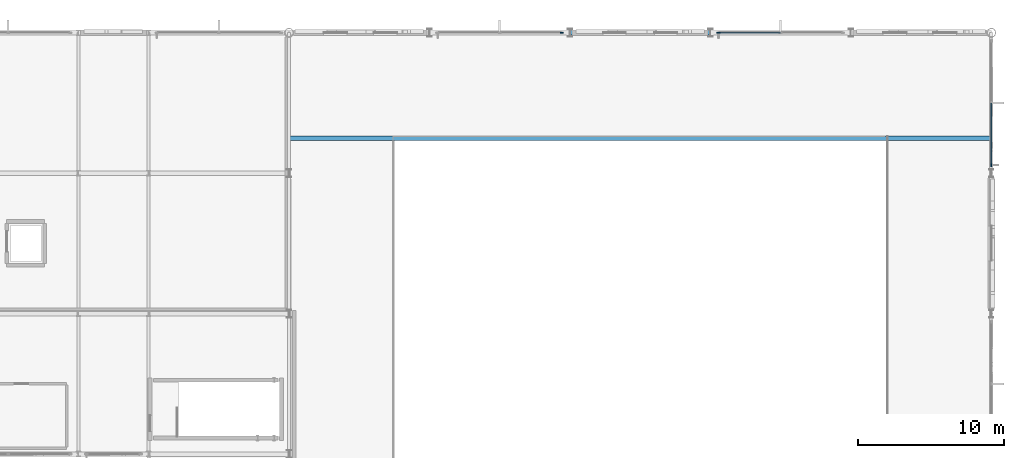
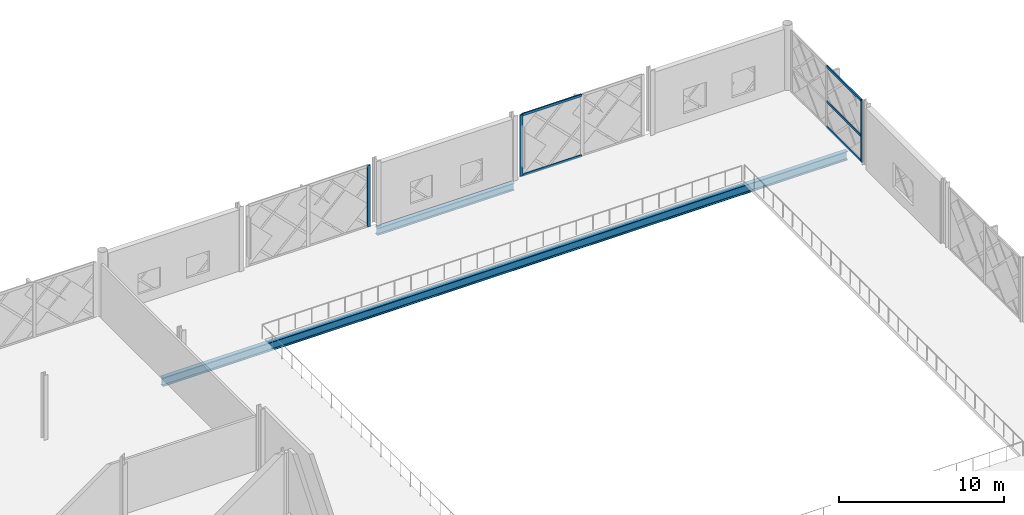
# One storey, part 38 of 77: 8 members, 2 beams, 3 elements without a shape of their own.
"""IFC4 building model written with IfcOpenShell, lengths in metres."""

from ifc_helpers import new_model, si_unit, direction, frame, origin, origin_2d, place, context, subcontext, project, spatial, rectangle, i_section, extrude, material, layer, layer_set, material_profile, profile_set, type_object, element, aggregate, save


model = new_model("IFC4")

# Units and contexts
model_context = context("Model", 3, precision=1e-05, world=origin(), true_north=direction((0.0, 1.0)))
body_context = subcontext(model_context, "Body", "Model", "MODEL_VIEW")
ifc_project = project(units=[si_unit("LENGTHUNIT", "METRE"), si_unit("AREAUNIT", "SQUARE_METRE"), si_unit("VOLUMEUNIT", "CUBIC_METRE"), si_unit("PLANEANGLEUNIT", "RADIAN"), si_unit("MASSUNIT", "GRAM", prefix="KILO")], contexts=[model_context])

# Site, building, storey
site_placement = place(None, origin())
site = spatial("IfcSite", under=ifc_project, at=site_placement, CompositionType="ELEMENT")
building_placement = place(site_placement, origin())
building = spatial("IfcBuilding", under=site, at=building_placement, Name="Zevrakil Square Congress Hotel", CompositionType="ELEMENT")
storey_placement = place(building_placement, frame((0.0, 0.0, 9.89990234375)))
storey = spatial("IfcBuildingStorey", under=building, at=storey_placement, Name="L03", CompositionType="ELEMENT", Elevation=9.89990234375)

# Beams
ifc_material_1 = material(Name="Steel S355", Category="steel")
ifc_material_profile_1 = material_profile(ifc_material_1, i_section(OverallWidth=0.300048828125, OverallDepth=0.5400390625, WebThickness=0.012451171875, FlangeThickness=0.02392578125, FilletRadius=0.027099609375, at=origin_2d()), Name="HEA 550")
ifc_profile_set_1 = profile_set([ifc_material_profile_1], Name="Steel S355")
beam_type_1 = type_object("IfcBeamType", Name="BM-HEA550", PredefinedType="BEAM", material=ifc_profile_set_1)
beam_1_placement = place(storey_placement, frame((136.800048828125, 112.800048828125, -0.52978515625), z_axis=(1.0, 0.0, 0.0), x_axis=(0.0, 1.0, 0.0)))
element("IfcBeam", 1, at=beam_1_placement, inside=storey, type_object=beam_type_1, Name="L03 primary girder BX-1082", PredefinedType="BEAM", context=body_context, shape_type="SweptSolid", body=[
    extrude(i_section(OverallWidth=0.300048828125, OverallDepth=0.5400390625, WebThickness=0.012451171875, FlangeThickness=0.02392578125, FilletRadius=0.027099609375, at=origin_2d()), origin(), (0.0, 0.0, 1.0), 9.599853515625),
])
ifc_material_2 = material(Name="Steel S355", Category="steel")
ifc_material_profile_2 = material_profile(ifc_material_2, i_section(OverallWidth=0.300048828125, OverallDepth=0.64990234375, WebThickness=0.01611328125, FlangeThickness=0.031005859375, FilletRadius=0.027099609375, at=origin_2d()), Name="HEB 650")
ifc_profile_set_2 = profile_set([ifc_material_profile_2], Name="Steel S355")
beam_type_2 = type_object("IfcBeamType", Name="BM-HEB650", PredefinedType="BEAM", material=ifc_profile_set_2)
beam_2_placement = place(storey_placement, frame((117.60009765625, 105.60009765625, -0.5849609375), z_axis=(1.0, 0.0, 0.0), x_axis=(0.0, 1.0, 0.0)))
element("IfcBeam", 2, at=beam_2_placement, inside=storey, type_object=beam_type_2, Name="L03 congress hall long-span gallery girder 2", PredefinedType="BEAM", context=body_context, shape_type="SweptSolid", body=[
    extrude(i_section(OverallWidth=0.300048828125, OverallDepth=0.64990234375, WebThickness=0.01611328125, FlangeThickness=0.031005859375, FilletRadius=0.027099609375, at=origin_2d()), origin(), (0.0, 0.0, 1.0), 48.0),
])

# Curtain wall, members
ifc_material_3 = material(Name="Aluminium Anodised Bronze", Category="aluminium")
ifc_layer = layer(ifc_material_3, 0.179931640625)
ifc_layer_set = layer_set([ifc_layer], Name="Aluminium Anodised Bronze")
curtain_wall_type = type_object("IfcCurtainWallType", Name="CW-L03-840", PredefinedType="USERDEFINED", material=ifc_layer_set)
curtain_wall_1_placement = place(storey_placement, origin())
curtain_wall_1 = element("IfcCurtainWall", 3, at=curtain_wall_1_placement, inside=storey, type_object=curtain_wall_type, Name="L03 diamond curtain wall CW-L03-0047", ObjectType="GLAZED CURTAIN WALL", PredefinedType="USERDEFINED")
ifc_material_4 = material(Name="Aluminium Anodised Bronze", Category="aluminium")
ifc_material_profile_3 = material_profile(ifc_material_4, rectangle(XDim=0.0849609375, YDim=0.179931640625, at=origin_2d()), Name="ALU 85x180")
ifc_profile_set_3 = profile_set([ifc_material_profile_3], Name="Aluminium Anodised Bronze")
member_type_1 = type_object("IfcMemberType", Name="CWM-ALU85x180", PredefinedType="USERDEFINED", material=ifc_profile_set_3)
member_1_placement = place(storey_placement, frame((146.97998046875, 112.800048828125, 0.030029296875), z_axis=(1.0, 0.0, 0.0), x_axis=(0.0, 1.0, 0.0)))
member_1 = element("IfcMember", 4, at=member_1_placement, type_object=member_type_1, Name="CW-35 transom 1.1", ObjectType="TRANSOM", PredefinedType="USERDEFINED", context=body_context, shape_type="SweptSolid", body=[
    extrude(rectangle(XDim=0.0849609375, YDim=0.179931640625, at=origin_2d()), origin(), (0.0, 0.0, 1.0), 4.18994140625),
])
member_2_placement = place(storey_placement, frame((146.97998046875, 112.800048828125, 4.510009765625), z_axis=(1.0, 0.0, 0.0), x_axis=(0.0, 1.0, 0.0)))
member_2 = element("IfcMember", 5, at=member_2_placement, type_object=member_type_1, Name="CW-35 transom 1.2", ObjectType="TRANSOM", PredefinedType="USERDEFINED", context=body_context, shape_type="SweptSolid", body=[
    extrude(rectangle(XDim=0.0849609375, YDim=0.179931640625, at=origin_2d()), origin(), (0.0, 0.0, 1.0), 4.18994140625),
])

curtain_wall_2_placement = place(storey_placement, origin())
curtain_wall_2 = element("IfcCurtainWall", 6, at=curtain_wall_2_placement, inside=storey, type_object=curtain_wall_type, Name="L03 diamond curtain wall CW-L03-0056", ObjectType="GLAZED CURTAIN WALL", PredefinedType="USERDEFINED")
member_3_placement = place(storey_placement, frame((165.60009765625, 103.780029296875, 0.030029296875), z_axis=(0.0, 1.0, 0.0), x_axis=(-1.0, 0.0, 0.0)))
member_3 = element("IfcMember", 7, at=member_3_placement, type_object=member_type_1, Name="CW-35 transom 1.1", ObjectType="TRANSOM", PredefinedType="USERDEFINED", context=body_context, shape_type="SweptSolid", body=[
    extrude(rectangle(XDim=0.0849609375, YDim=0.179931640625, at=origin_2d()), origin(), (0.0, 0.0, 1.0), 4.18994140625),
])
member_4_placement = place(storey_placement, frame((165.60009765625, 103.780029296875, 1.906982421875), z_axis=(0.0, 1.0, 0.0), x_axis=(-1.0, 0.0, 0.0)))
member_4 = element("IfcMember", 8, at=member_4_placement, type_object=member_type_1, Name="CW-35 transom 1.2", ObjectType="TRANSOM", PredefinedType="USERDEFINED", context=body_context, shape_type="SweptSolid", body=[
    extrude(rectangle(XDim=0.0849609375, YDim=0.179931640625, at=origin_2d()), origin(), (0.0, 0.0, 1.0), 4.18994140625),
])
member_5_placement = place(storey_placement, frame((165.60009765625, 103.780029296875, 4.510009765625), z_axis=(0.0, 1.0, 0.0), x_axis=(-1.0, 0.0, 0.0)))
member_5 = element("IfcMember", 9, at=member_5_placement, type_object=member_type_1, Name="CW-35 transom 1.3", ObjectType="TRANSOM", PredefinedType="USERDEFINED", context=body_context, shape_type="SweptSolid", body=[
    extrude(rectangle(XDim=0.0849609375, YDim=0.179931640625, at=origin_2d()), origin(), (0.0, 0.0, 1.0), 4.18994140625),
])

# Curtain wall, member
curtain_wall_3_placement = place(storey_placement, origin())
curtain_wall_3 = element("IfcCurtainWall", 10, at=curtain_wall_3_placement, inside=storey, type_object=curtain_wall_type, Name="L03 diamond curtain wall CW-L03-0045", ObjectType="GLAZED CURTAIN WALL", PredefinedType="USERDEFINED")
ifc_material_5 = material(Name="Aluminium Anodised Bronze", Category="aluminium")
ifc_material_profile_4 = material_profile(ifc_material_5, rectangle(XDim=0.0849609375, YDim=0.219970703125, at=origin_2d()), Name="ALU 85x220")
ifc_profile_set_4 = profile_set([ifc_material_profile_4], Name="Aluminium Anodised Bronze")
member_type_2 = type_object("IfcMemberType", Name="CWM-ALU85x220", PredefinedType="MULLION", material=ifc_profile_set_4)
member_6_placement = place(storey_placement, frame((136.25, 112.800048828125, 0.0), z_axis=(0.0, 0.0, 1.0), x_axis=(0.0, 1.0, 0.0)))
member_6 = element("IfcMember", 11, at=member_6_placement, type_object=member_type_2, Name="CW-35 mullion 3", PredefinedType="MULLION", context=body_context, shape_type="SweptSolid", body=[
    extrude(rectangle(XDim=0.0849609375, YDim=0.219970703125, at=origin_2d()), origin(), (0.0, 0.0, 1.0), 4.5400390625),
])
aggregate(curtain_wall_3, [member_6])

# Member
member_7_placement = place(storey_placement, frame((146.949951171875, 112.800048828125, 0.0), z_axis=(0.0, 0.0, 1.0), x_axis=(0.0, 1.0, 0.0)))
member_7 = element("IfcMember", 12, at=member_7_placement, type_object=member_type_2, Name="CW-35 mullion 1", PredefinedType="MULLION", context=body_context, shape_type="SweptSolid", body=[
    extrude(rectangle(XDim=0.0849609375, YDim=0.219970703125, at=origin_2d()), origin(), (0.0, 0.0, 1.0), 4.5400390625),
])

aggregate(curtain_wall_1, [member_7, member_1, member_2])

member_8_placement = place(storey_placement, frame((165.60009765625, 103.75, 0.0), z_axis=(0.0, 0.0, 1.0), x_axis=(-1.0, 0.0, 0.0)))
member_8 = element("IfcMember", 13, at=member_8_placement, type_object=member_type_2, Name="CW-35 mullion 1", PredefinedType="MULLION", context=body_context, shape_type="SweptSolid", body=[
    extrude(rectangle(XDim=0.0849609375, YDim=0.219970703125, at=origin_2d()), origin(), (0.0, 0.0, 1.0), 4.5400390625),
])

aggregate(curtain_wall_2, [member_8, member_3, member_4, member_5])

save(model, "model.ifc")
